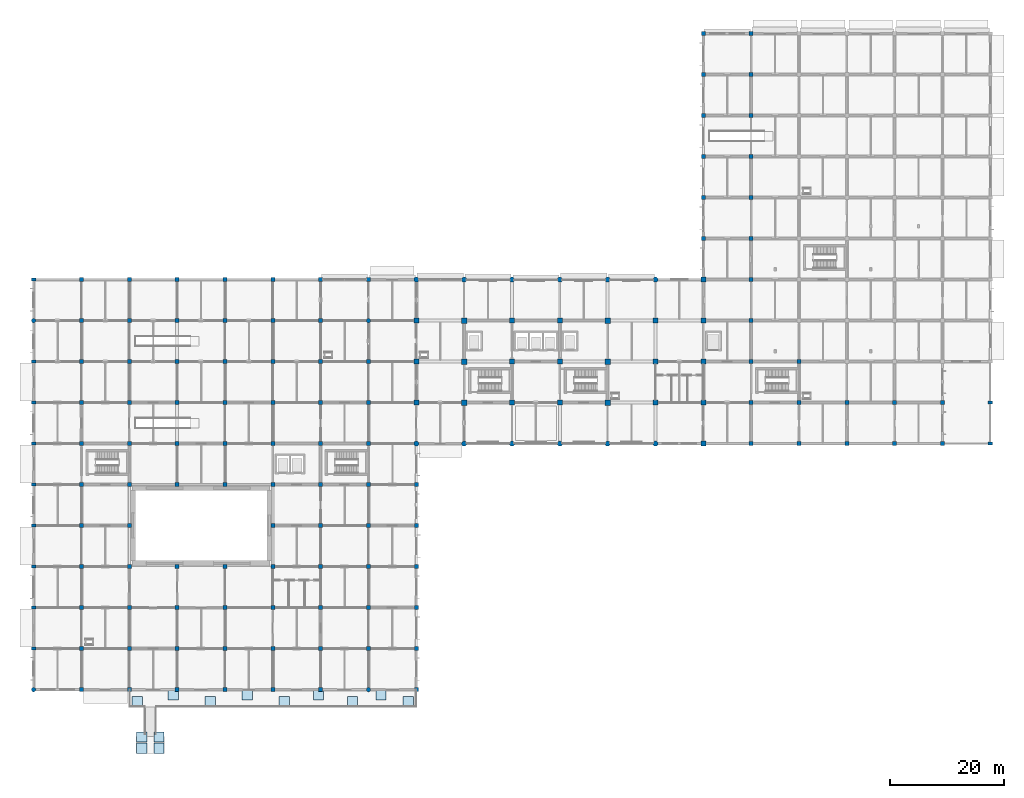
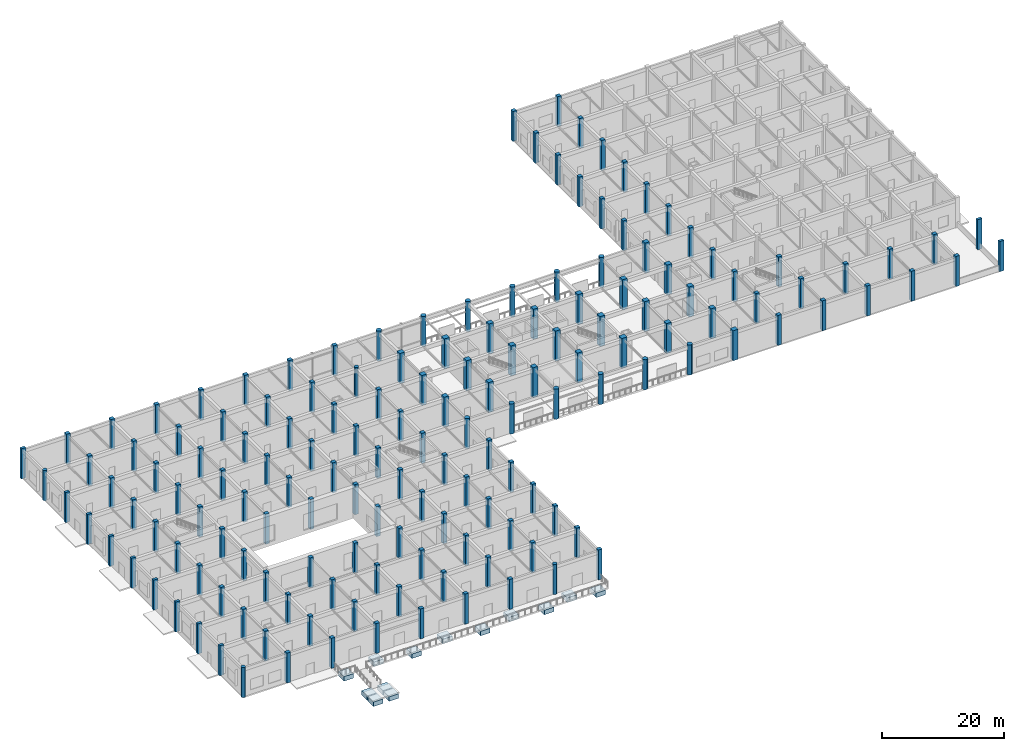
# One storey, part 1 of 39: 155 columns, 13 footings.
"""IFC4 building model written with IfcOpenShell, lengths in metres."""

from ifc_helpers import new_model, si_unit, derived_unit, direction, frame, origin, origin_2d, place, context, subcontext, project, spatial, rectangle, circle, extrude, material, material_profile, profile_set, type_object, element, save


model = new_model("IFC4")

# Units and contexts
model_context = context("Model", 3, precision=1e-05, world=origin(), true_north=direction((0.0, 1.0)))
body_context = subcontext(model_context, "Body", "Model", "MODEL_VIEW")
ifc_project = project(units=[si_unit("LENGTHUNIT", "METRE"), si_unit("AREAUNIT", "SQUARE_METRE"), si_unit("VOLUMEUNIT", "CUBIC_METRE"), si_unit("PLANEANGLEUNIT", "RADIAN"), si_unit("MASSUNIT", "GRAM", prefix="KILO"), derived_unit("THERMALTRANSMITTANCEUNIT", [(si_unit("MASSUNIT", "GRAM", prefix="KILO"), 1), (si_unit("TIMEUNIT", "SECOND"), -3), (si_unit("THERMODYNAMICTEMPERATUREUNIT", "KELVIN"), -1)])], contexts=[model_context])

# Site, building, storey
site_placement = place(None, origin())
site = spatial("IfcSite", under=ifc_project, at=site_placement, CompositionType="ELEMENT")
building_placement = place(site_placement, origin())
building = spatial("IfcBuilding", under=site, at=building_placement, Name="Veldstrom Oceanarium and Marine Research Institute", CompositionType="ELEMENT")
storey_placement = place(building_placement, origin())
storey = spatial("IfcBuildingStorey", under=building, at=storey_placement, Name="L00", CompositionType="ELEMENT", Elevation=0.0)

# Footings
ifc_material_1 = material(Name="Concrete C40/50", Category="concrete")
footing_type = type_object("IfcFootingType", Name="STR-FTG-PF04", PredefinedType="PAD_FOOTING", material=ifc_material_1)
for number, where, z_axis, x_axis, name in (
    (1, (19.0, -10.300048828125, -1.579833984375), (0.0, 0.0, 1.0), (1.0, 0.0, 0.0), "Ramp Landing Pad Footing PF04-21"),
    (2, (22.0, -10.300048828125, -1.579833984375), (0.0, 0.0, 1.0), (1.0, 0.0, 0.0), "Ramp Landing Pad Footing PF04-22"),
    (3, (19.0, -8.300048828125, -1.579833984375), (0.0, 0.0, 1.0), (1.0, 0.0, 0.0), "Ramp Landing Pad Footing PF04-23"),
    (4, (22.0, -8.300048828125, -1.579833984375), (0.0, 0.0, 1.0), (1.0, 0.0, 0.0), "Ramp Landing Pad Footing PF04-24"),
    (5, (18.199951171875, -2.10009765625, -1.199951171875), (0.0, 0.0, 1.0), (1.0, 0.0, 0.0), "Forecourt Plaza Pad Footing PF04-25"),
    (6, (31.0, -2.10009765625, -1.199951171875), (0.0, 0.0, 1.0), (1.0, 0.0, 0.0), "Forecourt Plaza Pad Footing PF04-26"),
    (7, (44.0, -2.10009765625, -1.199951171875), (0.0, 0.0, 1.0), (1.0, 0.0, 0.0), "Forecourt Plaza Pad Footing PF04-27"),
    (8, (56.0, -2.10009765625, -1.199951171875), (0.0, 0.0, 1.0), (1.0, 0.0, 0.0), "Forecourt Plaza Pad Footing PF04-28"),
    (9, (65.800048828125, -2.10009765625, -1.199951171875), (0.0, 0.0, 1.0), (1.0, 0.0, 0.0), "Forecourt Plaza Pad Footing PF04-29"),
    (10, (24.5, -0.949951171875, -1.199951171875), (0.0, 0.0, 1.0), (1.0, 0.0, 0.0), "Forecourt Plaza Inner Pad Footing PF04-30"),
    (11, (37.5, -0.949951171875, -1.199951171875), (0.0, 0.0, 1.0), (1.0, 0.0, 0.0), "Forecourt Plaza Inner Pad Footing PF04-31"),
    (12, (50.0, -0.949951171875, -1.199951171875), (0.0, 0.0, 1.0), (1.0, 0.0, 0.0), "Forecourt Plaza Inner Pad Footing PF04-32"),
    (13, (61.0, -0.949951171875, -1.199951171875), (0.0, 0.0, 1.0), (1.0, 0.0, 0.0), "Forecourt Plaza Inner Pad Footing PF04-33"),
):
    element("IfcFooting", number, at=place(storey_placement, frame(where, z_axis=z_axis, x_axis=x_axis)), inside=storey, type_object=footing_type, Name=name, PredefinedType="PAD_FOOTING", context=body_context, shape_type="SweptSolid", body=[
        extrude(rectangle(XDim=1.800048828125, YDim=1.800048828125, at=origin_2d()), origin(), (0.0, 0.0, 1.0), 0.89990234375),
    ])

# Columns
ifc_material_2 = material(Name="Concrete C50/60", Category="concrete")
ifc_material_profile_1 = material_profile(ifc_material_2, rectangle(XDim=0.949951171875, YDim=0.949951171875, at=origin_2d()), Name="RC-COL-950x950")
ifc_profile_set_1 = profile_set([ifc_material_profile_1], Name="Concrete C50/60")
column_type_1 = type_object("IfcColumnType", Name="STR-COL-C01", PredefinedType="COLUMN", material=ifc_profile_set_1)
for number, where, z_axis, x_axis, name in (
    (14, (75.60009765625, 50.39990234375, 0.0), (0.0, 0.0, 1.0), (1.0, 0.0, 0.0), "Column C01 10/H L00"),
    (15, (75.60009765625, 57.60009765625, 0.0), (0.0, 0.0, 1.0), (1.0, 0.0, 0.0), "Column C01 10/J L00"),
    (16, (75.60009765625, 64.800048828125, 0.0), (0.0, 0.0, 1.0), (1.0, 0.0, 0.0), "Column C01 10/K L00"),
    (17, (100.800048828125, 50.39990234375, 0.0), (0.0, 0.0, 1.0), (1.0, 0.0, 0.0), "Column C01 13/H L00"),
    (18, (100.800048828125, 57.60009765625, 0.0), (0.0, 0.0, 1.0), (1.0, 0.0, 0.0), "Column C01 13/J L00"),
    (19, (100.800048828125, 64.800048828125, 0.0), (0.0, 0.0, 1.0), (1.0, 0.0, 0.0), "Column C01 13/K L00"),
):
    element("IfcColumn", number, at=place(storey_placement, frame(where, z_axis=z_axis, x_axis=x_axis)), inside=storey, type_object=column_type_1, Name=name, PredefinedType="COLUMN", context=body_context, shape_type="SweptSolid", body=[
        extrude(rectangle(XDim=0.949951171875, YDim=0.949951171875, at=origin_2d()), origin(), (0.0, 0.0, 1.0), 6.0),
    ])
ifc_material_3 = material(Name="Concrete C50/60", Category="concrete")
ifc_material_profile_2 = material_profile(ifc_material_3, rectangle(XDim=0.89990234375, YDim=0.89990234375, at=origin_2d()), Name="RC-COL-900x900")
ifc_profile_set_2 = profile_set([ifc_material_profile_2], Name="Concrete C50/60")
column_type_2 = type_object("IfcColumnType", Name="STR-COL-C02", PredefinedType="COLUMN", material=ifc_profile_set_2)
for number, where, z_axis, x_axis, name in (
    (20, (67.199951171875, 50.39990234375, 0.0), (0.0, 0.0, 1.0), (1.0, 0.0, 0.0), "Column C02 9/H L00"),
    (21, (67.199951171875, 57.60009765625, 0.0), (0.0, 0.0, 1.0), (1.0, 0.0, 0.0), "Column C02 9/J L00"),
    (22, (67.199951171875, 64.800048828125, 0.0), (0.0, 0.0, 1.0), (1.0, 0.0, 0.0), "Column C02 9/K L00"),
    (23, (84.0, 50.39990234375, 0.0), (0.0, 0.0, 1.0), (1.0, 0.0, 0.0), "Column C02 11/H L00"),
    (24, (84.0, 57.60009765625, 0.0), (0.0, 0.0, 1.0), (1.0, 0.0, 0.0), "Column C02 11/J L00"),
    (25, (84.0, 64.800048828125, 0.0), (0.0, 0.0, 1.0), (1.0, 0.0, 0.0), "Column C02 11/K L00"),
    (26, (92.39990234375, 50.39990234375, 0.0), (0.0, 0.0, 1.0), (1.0, 0.0, 0.0), "Column C02 12/H L00"),
    (27, (92.39990234375, 57.60009765625, 0.0), (0.0, 0.0, 1.0), (1.0, 0.0, 0.0), "Column C02 12/J L00"),
    (28, (92.39990234375, 64.800048828125, 0.0), (0.0, 0.0, 1.0), (1.0, 0.0, 0.0), "Column C02 12/K L00"),
    (29, (109.199951171875, 50.39990234375, 0.0), (0.0, 0.0, 1.0), (1.0, 0.0, 0.0), "Column C02 14/H L00"),
    (30, (109.199951171875, 57.60009765625, 0.0), (0.0, 0.0, 1.0), (1.0, 0.0, 0.0), "Column C02 14/J L00"),
    (31, (109.199951171875, 64.800048828125, 0.0), (0.0, 0.0, 1.0), (1.0, 0.0, 0.0), "Column C02 14/K L00"),
    (32, (117.60009765625, 43.199951171875, 0.0), (0.0, 0.0, 1.0), (1.0, 0.0, 0.0), "Column C02 15/G L00"),
    (33, (117.60009765625, 50.39990234375, 0.0), (0.0, 0.0, 1.0), (1.0, 0.0, 0.0), "Column C02 15/H L00"),
    (34, (117.60009765625, 57.60009765625, 0.0), (0.0, 0.0, 1.0), (1.0, 0.0, 0.0), "Column C02 15/J L00"),
    (35, (117.60009765625, 64.800048828125, 0.0), (0.0, 0.0, 1.0), (1.0, 0.0, 0.0), "Column C02 15/K L00"),
    (36, (117.60009765625, 72.0, 0.0), (0.0, 0.0, 1.0), (1.0, 0.0, 0.0), "Column C02 15/L L00"),
):
    element("IfcColumn", number, at=place(storey_placement, frame(where, z_axis=z_axis, x_axis=x_axis)), inside=storey, type_object=column_type_2, Name=name, PredefinedType="COLUMN", context=body_context, shape_type="SweptSolid", body=[
        extrude(rectangle(XDim=0.89990234375, YDim=0.89990234375, at=origin_2d()), origin(), (0.0, 0.0, 1.0), 6.0),
    ])
ifc_material_4 = material(Name="Concrete C50/60", Category="concrete")
ifc_material_profile_3 = material_profile(ifc_material_4, rectangle(XDim=0.699951171875, YDim=0.699951171875, at=origin_2d()), Name="RC-COL-700x700")
ifc_profile_set_3 = profile_set([ifc_material_profile_3], Name="Concrete C50/60")
column_type_3 = type_object("IfcColumnType", Name="STR-COL-C06", PredefinedType="COLUMN", material=ifc_profile_set_3)
for number, where, z_axis, x_axis, name in (
    (37, (8.39990234375, 0.0, 0.0), (0.0, 0.0, 1.0), (1.0, 0.0, 0.0), "Column C06 2/A L00"),
    (38, (8.39990234375, 7.199951171875, 0.0), (0.0, 0.0, 1.0), (1.0, 0.0, 0.0), "Column C06 2/B L00"),
    (39, (8.39990234375, 14.39990234375, 0.0), (0.0, 0.0, 1.0), (1.0, 0.0, 0.0), "Column C06 2/C L00"),
    (40, (8.39990234375, 21.60009765625, 0.0), (0.0, 0.0, 1.0), (1.0, 0.0, 0.0), "Column C06 2/D L00"),
    (41, (8.39990234375, 28.800048828125, 0.0), (0.0, 0.0, 1.0), (1.0, 0.0, 0.0), "Column C06 2/E L00"),
    (42, (8.39990234375, 36.0, 0.0), (0.0, 0.0, 1.0), (1.0, 0.0, 0.0), "Column C06 2/F L00"),
    (43, (8.39990234375, 43.199951171875, 0.0), (0.0, 0.0, 1.0), (1.0, 0.0, 0.0), "Column C06 2/G L00"),
    (44, (8.39990234375, 50.39990234375, 0.0), (0.0, 0.0, 1.0), (1.0, 0.0, 0.0), "Column C06 2/H L00"),
    (45, (8.39990234375, 57.60009765625, 0.0), (0.0, 0.0, 1.0), (1.0, 0.0, 0.0), "Column C06 2/J L00"),
    (46, (8.39990234375, 64.800048828125, 0.0), (0.0, 0.0, 1.0), (1.0, 0.0, 0.0), "Column C06 2/K L00"),
    (47, (8.39990234375, 72.0, 0.0), (0.0, 0.0, 1.0), (1.0, 0.0, 0.0), "Column C06 2/L L00"),
    (48, (16.800048828125, 0.0, 0.0), (0.0, 0.0, 1.0), (1.0, 0.0, 0.0), "Column C06 3/A L00"),
    (49, (16.800048828125, 7.199951171875, 0.0), (0.0, 0.0, 1.0), (1.0, 0.0, 0.0), "Column C06 3/B L00"),
    (50, (16.800048828125, 14.39990234375, 0.0), (0.0, 0.0, 1.0), (1.0, 0.0, 0.0), "Column C06 3/C L00"),
    (51, (16.800048828125, 21.60009765625, 0.0), (0.0, 0.0, 1.0), (1.0, 0.0, 0.0), "Column C06 3/D L00"),
    (52, (16.800048828125, 28.800048828125, 0.0), (0.0, 0.0, 1.0), (1.0, 0.0, 0.0), "Column C06 3/E L00"),
    (53, (16.800048828125, 36.0, 0.0), (0.0, 0.0, 1.0), (1.0, 0.0, 0.0), "Column C06 3/F L00"),
    (54, (16.800048828125, 43.199951171875, 0.0), (0.0, 0.0, 1.0), (1.0, 0.0, 0.0), "Column C06 3/G L00"),
    (55, (16.800048828125, 50.39990234375, 0.0), (0.0, 0.0, 1.0), (1.0, 0.0, 0.0), "Column C06 3/H L00"),
    (56, (16.800048828125, 57.60009765625, 0.0), (0.0, 0.0, 1.0), (1.0, 0.0, 0.0), "Column C06 3/J L00"),
    (57, (16.800048828125, 64.800048828125, 0.0), (0.0, 0.0, 1.0), (1.0, 0.0, 0.0), "Column C06 3/K L00"),
    (58, (16.800048828125, 72.0, 0.0), (0.0, 0.0, 1.0), (1.0, 0.0, 0.0), "Column C06 3/L L00"),
    (59, (25.199951171875, 0.0, 0.0), (0.0, 0.0, 1.0), (1.0, 0.0, 0.0), "Column C06 4/A L00"),
    (60, (25.199951171875, 7.199951171875, 0.0), (0.0, 0.0, 1.0), (1.0, 0.0, 0.0), "Column C06 4/B L00"),
    (61, (25.199951171875, 14.39990234375, 0.0), (0.0, 0.0, 1.0), (1.0, 0.0, 0.0), "Column C06 4/C L00"),
    (62, (25.199951171875, 21.60009765625, 0.0), (0.0, 0.0, 1.0), (1.0, 0.0, 0.0), "Column C06 4/D L00"),
    (63, (25.199951171875, 36.0, 0.0), (0.0, 0.0, 1.0), (1.0, 0.0, 0.0), "Column C06 4/F L00"),
    (64, (25.199951171875, 43.199951171875, 0.0), (0.0, 0.0, 1.0), (1.0, 0.0, 0.0), "Column C06 4/G L00"),
    (65, (25.199951171875, 50.39990234375, 0.0), (0.0, 0.0, 1.0), (1.0, 0.0, 0.0), "Column C06 4/H L00"),
    (66, (25.199951171875, 57.60009765625, 0.0), (0.0, 0.0, 1.0), (1.0, 0.0, 0.0), "Column C06 4/J L00"),
    (67, (25.199951171875, 64.800048828125, 0.0), (0.0, 0.0, 1.0), (1.0, 0.0, 0.0), "Column C06 4/K L00"),
    (68, (25.199951171875, 72.0, 0.0), (0.0, 0.0, 1.0), (1.0, 0.0, 0.0), "Column C06 4/L L00"),
    (69, (33.60009765625, 0.0, 0.0), (0.0, 0.0, 1.0), (1.0, 0.0, 0.0), "Column C06 5/A L00"),
    (70, (33.60009765625, 7.199951171875, 0.0), (0.0, 0.0, 1.0), (1.0, 0.0, 0.0), "Column C06 5/B L00"),
    (71, (33.60009765625, 14.39990234375, 0.0), (0.0, 0.0, 1.0), (1.0, 0.0, 0.0), "Column C06 5/C L00"),
    (72, (33.60009765625, 21.60009765625, 0.0), (0.0, 0.0, 1.0), (1.0, 0.0, 0.0), "Column C06 5/D L00"),
    (73, (33.60009765625, 36.0, 0.0), (0.0, 0.0, 1.0), (1.0, 0.0, 0.0), "Column C06 5/F L00"),
    (74, (33.60009765625, 43.199951171875, 0.0), (0.0, 0.0, 1.0), (1.0, 0.0, 0.0), "Column C06 5/G L00"),
    (75, (33.60009765625, 50.39990234375, 0.0), (0.0, 0.0, 1.0), (1.0, 0.0, 0.0), "Column C06 5/H L00"),
    (76, (33.60009765625, 57.60009765625, 0.0), (0.0, 0.0, 1.0), (1.0, 0.0, 0.0), "Column C06 5/J L00"),
    (77, (33.60009765625, 64.800048828125, 0.0), (0.0, 0.0, 1.0), (1.0, 0.0, 0.0), "Column C06 5/K L00"),
    (78, (33.60009765625, 72.0, 0.0), (0.0, 0.0, 1.0), (1.0, 0.0, 0.0), "Column C06 5/L L00"),
    (79, (42.0, 0.0, 0.0), (0.0, 0.0, 1.0), (1.0, 0.0, 0.0), "Column C06 6/A L00"),
    (80, (42.0, 7.199951171875, 0.0), (0.0, 0.0, 1.0), (1.0, 0.0, 0.0), "Column C06 6/B L00"),
    (81, (42.0, 14.39990234375, 0.0), (0.0, 0.0, 1.0), (1.0, 0.0, 0.0), "Column C06 6/C L00"),
    (82, (42.0, 21.60009765625, 0.0), (0.0, 0.0, 1.0), (1.0, 0.0, 0.0), "Column C06 6/D L00"),
    (83, (42.0, 28.800048828125, 0.0), (0.0, 0.0, 1.0), (1.0, 0.0, 0.0), "Column C06 6/E L00"),
    (84, (42.0, 36.0, 0.0), (0.0, 0.0, 1.0), (1.0, 0.0, 0.0), "Column C06 6/F L00"),
    (85, (42.0, 43.199951171875, 0.0), (0.0, 0.0, 1.0), (1.0, 0.0, 0.0), "Column C06 6/G L00"),
    (86, (42.0, 50.39990234375, 0.0), (0.0, 0.0, 1.0), (1.0, 0.0, 0.0), "Column C06 6/H L00"),
    (87, (42.0, 57.60009765625, 0.0), (0.0, 0.0, 1.0), (1.0, 0.0, 0.0), "Column C06 6/J L00"),
    (88, (42.0, 64.800048828125, 0.0), (0.0, 0.0, 1.0), (1.0, 0.0, 0.0), "Column C06 6/K L00"),
    (89, (42.0, 72.0, 0.0), (0.0, 0.0, 1.0), (1.0, 0.0, 0.0), "Column C06 6/L L00"),
    (90, (50.39990234375, 0.0, 0.0), (0.0, 0.0, 1.0), (1.0, 0.0, 0.0), "Column C06 7/A L00"),
    (91, (50.39990234375, 7.199951171875, 0.0), (0.0, 0.0, 1.0), (1.0, 0.0, 0.0), "Column C06 7/B L00"),
    (92, (50.39990234375, 14.39990234375, 0.0), (0.0, 0.0, 1.0), (1.0, 0.0, 0.0), "Column C06 7/C L00"),
    (93, (50.39990234375, 21.60009765625, 0.0), (0.0, 0.0, 1.0), (1.0, 0.0, 0.0), "Column C06 7/D L00"),
    (94, (50.39990234375, 28.800048828125, 0.0), (0.0, 0.0, 1.0), (1.0, 0.0, 0.0), "Column C06 7/E L00"),
    (95, (50.39990234375, 36.0, 0.0), (0.0, 0.0, 1.0), (1.0, 0.0, 0.0), "Column C06 7/F L00"),
    (96, (50.39990234375, 43.199951171875, 0.0), (0.0, 0.0, 1.0), (1.0, 0.0, 0.0), "Column C06 7/G L00"),
    (97, (50.39990234375, 50.39990234375, 0.0), (0.0, 0.0, 1.0), (1.0, 0.0, 0.0), "Column C06 7/H L00"),
    (98, (50.39990234375, 57.60009765625, 0.0), (0.0, 0.0, 1.0), (1.0, 0.0, 0.0), "Column C06 7/J L00"),
    (99, (50.39990234375, 64.800048828125, 0.0), (0.0, 0.0, 1.0), (1.0, 0.0, 0.0), "Column C06 7/K L00"),
    (100, (50.39990234375, 72.0, 0.0), (0.0, 0.0, 1.0), (1.0, 0.0, 0.0), "Column C06 7/L L00"),
    (101, (58.800048828125, 7.199951171875, 0.0), (0.0, 0.0, 1.0), (1.0, 0.0, 0.0), "Column C06 8/B L00"),
    (102, (58.800048828125, 14.39990234375, 0.0), (0.0, 0.0, 1.0), (1.0, 0.0, 0.0), "Column C06 8/C L00"),
    (103, (58.800048828125, 21.60009765625, 0.0), (0.0, 0.0, 1.0), (1.0, 0.0, 0.0), "Column C06 8/D L00"),
    (104, (58.800048828125, 28.800048828125, 0.0), (0.0, 0.0, 1.0), (1.0, 0.0, 0.0), "Column C06 8/E L00"),
    (105, (58.800048828125, 36.0, 0.0), (0.0, 0.0, 1.0), (1.0, 0.0, 0.0), "Column C06 8/F L00"),
    (106, (58.800048828125, 43.199951171875, 0.0), (0.0, 0.0, 1.0), (1.0, 0.0, 0.0), "Column C06 8/G L00"),
    (107, (58.800048828125, 50.39990234375, 0.0), (0.0, 0.0, 1.0), (1.0, 0.0, 0.0), "Column C06 8/H L00"),
    (108, (58.800048828125, 57.60009765625, 0.0), (0.0, 0.0, 1.0), (1.0, 0.0, 0.0), "Column C06 8/J L00"),
    (109, (58.800048828125, 72.0, 0.0), (0.0, 0.0, 1.0), (1.0, 0.0, 0.0), "Column C06 8/L L00"),
    (110, (67.199951171875, 0.0, 0.0), (0.0, 0.0, 1.0), (1.0, 0.0, 0.0), "Column C06 9/A L00"),
    (111, (67.199951171875, 7.199951171875, 0.0), (0.0, 0.0, 1.0), (1.0, 0.0, 0.0), "Column C06 9/B L00"),
    (112, (67.199951171875, 14.39990234375, 0.0), (0.0, 0.0, 1.0), (1.0, 0.0, 0.0), "Column C06 9/C L00"),
    (113, (67.199951171875, 21.60009765625, 0.0), (0.0, 0.0, 1.0), (1.0, 0.0, 0.0), "Column C06 9/D L00"),
    (114, (67.199951171875, 28.800048828125, 0.0), (0.0, 0.0, 1.0), (1.0, 0.0, 0.0), "Column C06 9/E L00"),
    (115, (67.199951171875, 36.0, 0.0), (0.0, 0.0, 1.0), (1.0, 0.0, 0.0), "Column C06 9/F L00"),
    (116, (117.60009765625, 79.199951171875, 0.0), (0.0, 0.0, 1.0), (1.0, 0.0, 0.0), "Column C06 15/M L00"),
    (117, (117.60009765625, 86.39990234375, 0.0), (0.0, 0.0, 1.0), (1.0, 0.0, 0.0), "Column C06 15/N L00"),
    (118, (117.60009765625, 93.60009765625, 0.0), (0.0, 0.0, 1.0), (1.0, 0.0, 0.0), "Column C06 15/P L00"),
    (119, (117.60009765625, 100.800048828125, 0.0), (0.0, 0.0, 1.0), (1.0, 0.0, 0.0), "Column C06 15/Q L00"),
    (120, (117.60009765625, 108.0, 0.0), (0.0, 0.0, 1.0), (1.0, 0.0, 0.0), "Column C06 15/R L00"),
    (121, (117.60009765625, 115.199951171875, 0.0), (0.0, 0.0, 1.0), (1.0, 0.0, 0.0), "Column C06 15/S L00"),
    (122, (126.0, 43.199951171875, 0.0), (0.0, 0.0, 1.0), (1.0, 0.0, 0.0), "Column C06 16/G L00"),
    (123, (126.0, 50.39990234375, 0.0), (0.0, 0.0, 1.0), (1.0, 0.0, 0.0), "Column C06 16/H L00"),
    (124, (126.0, 57.60009765625, 0.0), (0.0, 0.0, 1.0), (1.0, 0.0, 0.0), "Column C06 16/J L00"),
    (125, (126.0, 64.800048828125, 0.0), (0.0, 0.0, 1.0), (1.0, 0.0, 0.0), "Column C06 16/K L00"),
    (126, (126.0, 72.0, 0.0), (0.0, 0.0, 1.0), (1.0, 0.0, 0.0), "Column C06 16/L L00"),
    (127, (126.0, 79.199951171875, 0.0), (0.0, 0.0, 1.0), (1.0, 0.0, 0.0), "Column C06 16/M L00"),
    (128, (126.0, 86.39990234375, 0.0), (0.0, 0.0, 1.0), (1.0, 0.0, 0.0), "Column C06 16/N L00"),
    (129, (126.0, 93.60009765625, 0.0), (0.0, 0.0, 1.0), (1.0, 0.0, 0.0), "Column C06 16/P L00"),
    (130, (126.0, 100.800048828125, 0.0), (0.0, 0.0, 1.0), (1.0, 0.0, 0.0), "Column C06 16/Q L00"),
    (131, (126.0, 108.0, 0.0), (0.0, 0.0, 1.0), (1.0, 0.0, 0.0), "Column C06 16/R L00"),
    (132, (126.0, 115.199951171875, 0.0), (0.0, 0.0, 1.0), (1.0, 0.0, 0.0), "Column C06 16/S L00"),
    (133, (134.39990234375, 43.199951171875, 0.0), (0.0, 0.0, 1.0), (1.0, 0.0, 0.0), "Column C06 17/G L00"),
    (134, (134.39990234375, 50.39990234375, 0.0), (0.0, 0.0, 1.0), (1.0, 0.0, 0.0), "Column C06 17/H L00"),
    (135, (134.39990234375, 57.60009765625, 0.0), (0.0, 0.0, 1.0), (1.0, 0.0, 0.0), "Column C06 17/J L00"),
    (136, (142.800048828125, 43.199951171875, 0.0), (0.0, 0.0, 1.0), (1.0, 0.0, 0.0), "Column C06 18/G L00"),
    (137, (142.800048828125, 50.39990234375, 0.0), (0.0, 0.0, 1.0), (1.0, 0.0, 0.0), "Column C06 18/H L00"),
    (138, (151.199951171875, 43.199951171875, 0.0), (0.0, 0.0, 1.0), (1.0, 0.0, 0.0), "Column C06 19/G L00"),
    (139, (151.199951171875, 50.39990234375, 0.0), (0.0, 0.0, 1.0), (1.0, 0.0, 0.0), "Column C06 19/H L00"),
    (140, (159.60009765625, 43.199951171875, 0.0), (0.0, 0.0, 1.0), (1.0, 0.0, 0.0), "Column C06 20/G L00"),
    (141, (159.60009765625, 50.39990234375, 0.0), (0.0, 0.0, 1.0), (1.0, 0.0, 0.0), "Column C06 20/H L00"),
):
    element("IfcColumn", number, at=place(storey_placement, frame(where, z_axis=z_axis, x_axis=x_axis)), inside=storey, type_object=column_type_3, Name=name, PredefinedType="COLUMN", context=body_context, shape_type="SweptSolid", body=[
        extrude(rectangle(XDim=0.699951171875, YDim=0.699951171875, at=origin_2d()), origin(), (0.0, 0.0, 1.0), 6.0),
    ])
ifc_material_5 = material(Name="Concrete C50/60", Category="concrete")
ifc_material_profile_4 = material_profile(ifc_material_5, rectangle(XDim=0.5, YDim=0.800048828125, at=origin_2d()), Name="RC-COL-800x500")
ifc_profile_set_4 = profile_set([ifc_material_profile_4], Name="Concrete C50/60")
column_type_4 = type_object("IfcColumnType", Name="STR-COL-C12", PredefinedType="COLUMN", material=ifc_profile_set_4)
for number, where, z_axis, x_axis, name in (
    (142, (0.0, 7.199951171875, 0.0), (0.0, 0.0, 1.0), (0.0, 1.0, 0.0), "Column C12 1/B L00"),
    (143, (0.0, 14.39990234375, 0.0), (0.0, 0.0, 1.0), (0.0, 1.0, 0.0), "Column C12 1/C L00"),
    (144, (0.0, 21.60009765625, 0.0), (0.0, 0.0, 1.0), (0.0, 1.0, 0.0), "Column C12 1/D L00"),
    (145, (0.0, 28.800048828125, 0.0), (0.0, 0.0, 1.0), (0.0, 1.0, 0.0), "Column C12 1/E L00"),
    (146, (0.0, 36.0, 0.0), (0.0, 0.0, 1.0), (0.0, 1.0, 0.0), "Column C12 1/F L00"),
    (147, (0.0, 43.199951171875, 0.0), (0.0, 0.0, 1.0), (0.0, 1.0, 0.0), "Column C12 1/G L00"),
    (148, (0.0, 50.39990234375, 0.0), (0.0, 0.0, 1.0), (0.0, 1.0, 0.0), "Column C12 1/H L00"),
    (149, (0.0, 57.60009765625, 0.0), (0.0, 0.0, 1.0), (0.0, 1.0, 0.0), "Column C12 1/J L00"),
    (150, (0.0, 72.0, 0.0), (0.0, 0.0, 1.0), (0.0, 1.0, 0.0), "Column C12 1/L L00"),
    (151, (168.0, 43.199951171875, 0.0), (0.0, 0.0, 1.0), (0.0, 1.0, 0.0), "Column C12 21/G L00"),
    (152, (168.0, 50.39990234375, 0.0), (0.0, 0.0, 1.0), (0.0, 1.0, 0.0), "Column C12 21/H L00"),
):
    element("IfcColumn", number, at=place(storey_placement, frame(where, z_axis=z_axis, x_axis=x_axis)), inside=storey, type_object=column_type_4, Name=name, PredefinedType="COLUMN", context=body_context, shape_type="SweptSolid", body=[
        extrude(rectangle(XDim=0.5, YDim=0.800048828125, at=origin_2d()), origin(), (0.0, 0.0, 1.0), 6.0),
    ])
ifc_material_6 = material(Name="Concrete C50/60", Category="concrete")
ifc_material_profile_5 = material_profile(ifc_material_6, circle(Radius=0.449951171875, at=origin_2d()), Name="RC-COL-D900")
ifc_profile_set_5 = profile_set([ifc_material_profile_5], Name="Concrete C50/60")
column_type_5 = type_object("IfcColumnType", Name="STR-COL-C13", PredefinedType="COLUMN", material=ifc_profile_set_5)
for number, where, z_axis, x_axis, name in (
    (153, (67.199951171875, 43.199951171875, 0.0), (0.0, 0.0, 1.0), (1.0, 0.0, 0.0), "Column C13 9/G L00"),
    (154, (67.199951171875, 72.0, 0.0), (0.0, 0.0, 1.0), (1.0, 0.0, 0.0), "Column C13 9/L L00"),
    (155, (75.60009765625, 43.199951171875, 0.0), (0.0, 0.0, 1.0), (1.0, 0.0, 0.0), "Column C13 10/G L00"),
    (156, (75.60009765625, 72.0, 0.0), (0.0, 0.0, 1.0), (1.0, 0.0, 0.0), "Column C13 10/L L00"),
    (157, (84.0, 43.199951171875, 0.0), (0.0, 0.0, 1.0), (1.0, 0.0, 0.0), "Column C13 11/G L00"),
    (158, (84.0, 72.0, 0.0), (0.0, 0.0, 1.0), (1.0, 0.0, 0.0), "Column C13 11/L L00"),
    (159, (92.39990234375, 43.199951171875, 0.0), (0.0, 0.0, 1.0), (1.0, 0.0, 0.0), "Column C13 12/G L00"),
    (160, (92.39990234375, 72.0, 0.0), (0.0, 0.0, 1.0), (1.0, 0.0, 0.0), "Column C13 12/L L00"),
    (161, (100.800048828125, 43.199951171875, 0.0), (0.0, 0.0, 1.0), (1.0, 0.0, 0.0), "Column C13 13/G L00"),
    (162, (100.800048828125, 72.0, 0.0), (0.0, 0.0, 1.0), (1.0, 0.0, 0.0), "Column C13 13/L L00"),
    (163, (109.199951171875, 43.199951171875, 0.0), (0.0, 0.0, 1.0), (1.0, 0.0, 0.0), "Column C13 14/G L00"),
    (164, (109.199951171875, 72.0, 0.0), (0.0, 0.0, 1.0), (1.0, 0.0, 0.0), "Column C13 14/L L00"),
):
    element("IfcColumn", number, at=place(storey_placement, frame(where, z_axis=z_axis, x_axis=x_axis)), inside=storey, type_object=column_type_5, Name=name, PredefinedType="COLUMN", context=body_context, shape_type="SweptSolid", body=[
        extrude(circle(Radius=0.449951171875, at=origin_2d()), origin(), (0.0, 0.0, 1.0), 6.0),
    ])
ifc_material_7 = material(Name="Concrete C50/60", Category="concrete")
ifc_material_profile_6 = material_profile(ifc_material_7, circle(Radius=0.375, at=origin_2d()), Name="RC-COL-D750")
ifc_profile_set_6 = profile_set([ifc_material_profile_6], Name="Concrete C50/60")
column_type_6 = type_object("IfcColumnType", Name="STR-COL-C14", PredefinedType="COLUMN", material=ifc_profile_set_6)
for number, where, z_axis, x_axis, name in (
    (165, (0.0, 0.0, 0.0), (0.0, 0.0, 1.0), (1.0, 0.0, 0.0), "Column C14 1/A L00"),
    (166, (0.0, 64.800048828125, 0.0), (0.0, 0.0, 1.0), (1.0, 0.0, 0.0), "Column C14 1/K L00"),
    (167, (58.800048828125, 0.0, 0.0), (0.0, 0.0, 1.0), (1.0, 0.0, 0.0), "Column C14 8/A L00"),
    (168, (58.800048828125, 64.800048828125, 0.0), (0.0, 0.0, 1.0), (1.0, 0.0, 0.0), "Column C14 8/K L00"),
):
    element("IfcColumn", number, at=place(storey_placement, frame(where, z_axis=z_axis, x_axis=x_axis)), inside=storey, type_object=column_type_6, Name=name, PredefinedType="COLUMN", context=body_context, shape_type="SweptSolid", body=[
        extrude(circle(Radius=0.375, at=origin_2d()), origin(), (0.0, 0.0, 1.0), 6.0),
    ])

save(model, "model.ifc")
